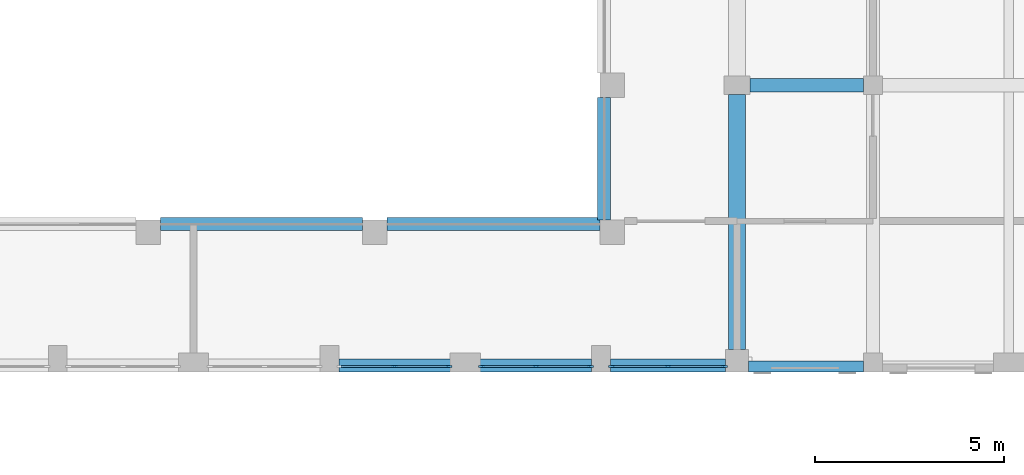
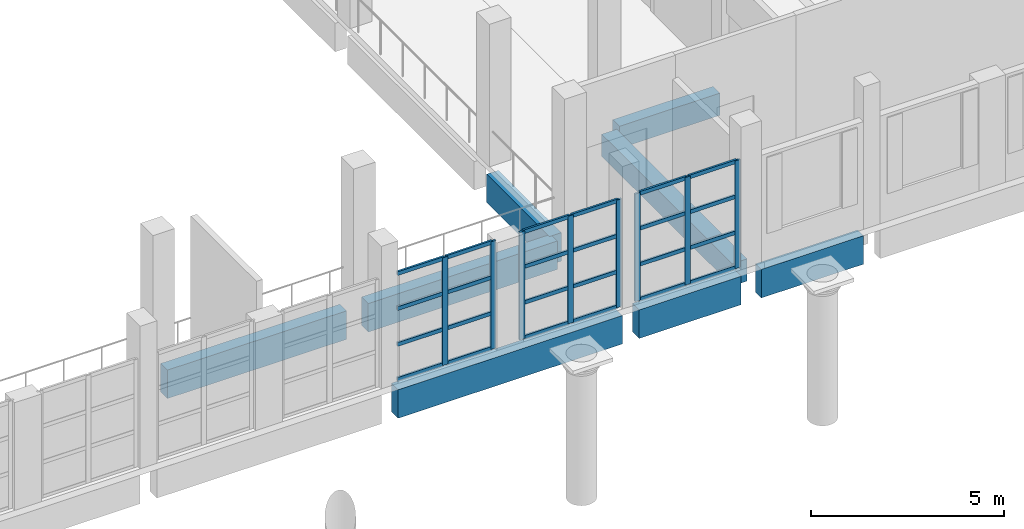
# One storey, part 5 of 59: 32 members, 8 beams, 3 elements without a shape of their own.
"""IFC4 building model written with IfcOpenShell, lengths in metres."""

from ifc_helpers import new_model, si_unit, direction, frame, origin, origin_2d, place, context, subcontext, project, spatial, rectangle, extrude, material, layer, layer_set, material_profile, profile_set, type_object, element, aggregate, save


model = new_model("IFC4")

# Units and contexts
model_context = context("Model", 3, precision=1e-05, world=origin(), true_north=direction((0.0, 1.0)))
body_context = subcontext(model_context, "Body", "Model", "MODEL_VIEW")
ifc_project = project(units=[si_unit("LENGTHUNIT", "METRE"), si_unit("AREAUNIT", "SQUARE_METRE"), si_unit("VOLUMEUNIT", "CUBIC_METRE"), si_unit("PLANEANGLEUNIT", "RADIAN"), si_unit("MASSUNIT", "GRAM", prefix="KILO")], contexts=[model_context])

# Site, building, storey
site_placement = place(None, origin())
site = spatial("IfcSite", under=ifc_project, at=site_placement, CompositionType="ELEMENT")
building_placement = place(site_placement, origin())
building = spatial("IfcBuilding", under=site, at=building_placement, Name="Ussher Court Research Institute", CompositionType="ELEMENT")
storey_placement = place(building_placement, frame((0.0, 0.0, 5.39990234375)))
storey = spatial("IfcBuildingStorey", under=building, at=storey_placement, Name="L01", CompositionType="ELEMENT", Elevation=5.39990234375)

# Curtain wall, members
ifc_material_1 = material(Name="Bronze anodised aluminium with low-e glass", Category="aluminium")
ifc_layer = layer(ifc_material_1, 0.1201171875)
ifc_layer_set = layer_set([ifc_layer], Name="Bronze anodised aluminium with low-e glass")
curtain_wall_type = type_object("IfcCurtainWallType", Name="Curtain wall atrium clear glazing", PredefinedType="NOTDEFINED", material=ifc_layer_set)
curtain_wall_1_placement = place(storey_placement, origin())
curtain_wall_1 = element("IfcCurtainWall", 1, at=curtain_wall_1_placement, inside=storey, type_object=curtain_wall_type, Name="Curtain wall CW2 L01", PredefinedType="NOTDEFINED")
ifc_material_2 = material(Name="Bronze anodised aluminium", Category="aluminium")
ifc_material_profile_1 = material_profile(ifc_material_2, rectangle(XDim=0.06005859375, YDim=0.159912109375, at=origin_2d()), Name="Mullion 60x160")
ifc_profile_set_1 = profile_set([ifc_material_profile_1], Name="Bronze anodised aluminium")
member_type_1 = type_object("IfcMemberType", Name="Mullion 60x160", PredefinedType="MULLION", material=ifc_profile_set_1)
member_1_placement = place(storey_placement, frame((63.8701171875, 10.949951171875, 0.0), z_axis=(0.0, 0.0, 1.0), x_axis=(0.0, -1.0, 0.0)))
member_1 = element("IfcMember", 2, at=member_1_placement, type_object=member_type_1, Name="CW2 mullion 1", PredefinedType="MULLION", context=body_context, shape_type="SweptSolid", body=[
    extrude(rectangle(XDim=0.06005859375, YDim=0.159912109375, at=origin_2d()), origin(), (0.0, 0.0, 1.0), 3.400146484375),
])
member_2_placement = place(storey_placement, frame((62.375, 10.949951171875, 0.0), z_axis=(0.0, 0.0, 1.0), x_axis=(0.0, -1.0, 0.0)))
member_2 = element("IfcMember", 3, at=member_2_placement, type_object=member_type_1, Name="CW2 mullion 2", PredefinedType="MULLION", context=body_context, shape_type="SweptSolid", body=[
    extrude(rectangle(XDim=0.06005859375, YDim=0.159912109375, at=origin_2d()), origin(), (0.0, 0.0, 1.0), 3.400146484375),
])
member_3_placement = place(storey_placement, frame((60.8798828125, 10.949951171875, 0.0), z_axis=(0.0, 0.0, 1.0), x_axis=(0.0, -1.0, 0.0)))
member_3 = element("IfcMember", 4, at=member_3_placement, type_object=member_type_1, Name="CW2 mullion 3", PredefinedType="MULLION", context=body_context, shape_type="SweptSolid", body=[
    extrude(rectangle(XDim=0.06005859375, YDim=0.159912109375, at=origin_2d()), origin(), (0.0, 0.0, 1.0), 3.400146484375),
])

curtain_wall_2_placement = place(storey_placement, origin())
curtain_wall_2 = element("IfcCurtainWall", 5, at=curtain_wall_2_placement, inside=storey, type_object=curtain_wall_type, Name="Curtain wall CW2 L01", PredefinedType="NOTDEFINED")
member_4_placement = place(storey_placement, frame((60.320068359375, 10.949951171875, 0.0), z_axis=(0.0, 0.0, 1.0), x_axis=(0.0, -1.0, 0.0)))
member_4 = element("IfcMember", 6, at=member_4_placement, type_object=member_type_1, Name="CW2 mullion 1", PredefinedType="MULLION", context=body_context, shape_type="SweptSolid", body=[
    extrude(rectangle(XDim=0.06005859375, YDim=0.159912109375, at=origin_2d()), origin(), (0.0, 0.0, 1.0), 3.400146484375),
])
member_5_placement = place(storey_placement, frame((58.875, 10.949951171875, 0.0), z_axis=(0.0, 0.0, 1.0), x_axis=(0.0, -1.0, 0.0)))
member_5 = element("IfcMember", 7, at=member_5_placement, type_object=member_type_1, Name="CW2 mullion 2", PredefinedType="MULLION", context=body_context, shape_type="SweptSolid", body=[
    extrude(rectangle(XDim=0.06005859375, YDim=0.159912109375, at=origin_2d()), origin(), (0.0, 0.0, 1.0), 3.400146484375),
])
member_6_placement = place(storey_placement, frame((57.429931640625, 10.949951171875, 0.0), z_axis=(0.0, 0.0, 1.0), x_axis=(0.0, -1.0, 0.0)))
member_6 = element("IfcMember", 8, at=member_6_placement, type_object=member_type_1, Name="CW2 mullion 3", PredefinedType="MULLION", context=body_context, shape_type="SweptSolid", body=[
    extrude(rectangle(XDim=0.06005859375, YDim=0.159912109375, at=origin_2d()), origin(), (0.0, 0.0, 1.0), 3.400146484375),
])

curtain_wall_3_placement = place(storey_placement, origin())
curtain_wall_3 = element("IfcCurtainWall", 9, at=curtain_wall_3_placement, inside=storey, type_object=curtain_wall_type, Name="Curtain wall CW2 L01", PredefinedType="NOTDEFINED")
member_7_placement = place(storey_placement, frame((56.570068359375, 10.949951171875, 0.0), z_axis=(0.0, 0.0, 1.0), x_axis=(0.0, -1.0, 0.0)))
member_7 = element("IfcMember", 10, at=member_7_placement, type_object=member_type_1, Name="CW2 mullion 1", PredefinedType="MULLION", context=body_context, shape_type="SweptSolid", body=[
    extrude(rectangle(XDim=0.06005859375, YDim=0.159912109375, at=origin_2d()), origin(), (0.0, 0.0, 1.0), 3.400146484375),
])
member_8_placement = place(storey_placement, frame((55.125, 10.949951171875, 0.0), z_axis=(0.0, 0.0, 1.0), x_axis=(0.0, -1.0, 0.0)))
member_8 = element("IfcMember", 11, at=member_8_placement, type_object=member_type_1, Name="CW2 mullion 2", PredefinedType="MULLION", context=body_context, shape_type="SweptSolid", body=[
    extrude(rectangle(XDim=0.06005859375, YDim=0.159912109375, at=origin_2d()), origin(), (0.0, 0.0, 1.0), 3.400146484375),
])

# Beams
ifc_material_3 = material(Name="Concrete C35/45", Category="concrete")
ifc_material_profile_2 = material_profile(ifc_material_3, rectangle(XDim=0.300048828125, YDim=0.89990234375, at=origin_2d()), Name="RC 300x900")
ifc_profile_set_2 = profile_set([ifc_material_profile_2], Name="Concrete C35/45")
beam_type_1 = type_object("IfcBeamType", Name="RC 300x900 beam", PredefinedType="BEAM", material=ifc_profile_set_2)
beam_1_placement = place(storey_placement, frame((64.5, 10.949951171875, -0.64990234375), z_axis=(1.0, 0.0, 0.0), x_axis=(0.0, 1.0, 0.0)))
element("IfcBeam", 12, at=beam_1_placement, inside=storey, type_object=beam_type_1, Name="SB2 V7 L01-03", PredefinedType="BEAM", context=body_context, shape_type="SweptSolid", body=[
    extrude(rectangle(XDim=0.300048828125, YDim=0.89990234375, at=origin_2d()), origin(), (0.0, 0.0, 1.0), 3.050048828125),
])
ifc_material_4 = material(Name="Concrete C35/45", Category="concrete")
ifc_material_profile_3 = material_profile(ifc_material_4, rectangle(XDim=0.35009765625, YDim=0.699951171875, at=origin_2d()), Name="RC 350x700")
ifc_profile_set_3 = profile_set([ifc_material_profile_3], Name="Concrete C35/45")
beam_type_2 = type_object("IfcBeamType", Name="RC 350x700 beam", PredefinedType="BEAM", material=ifc_profile_set_3)
beam_2_placement = place(storey_placement, frame((64.550048828125, 18.39990234375, -0.5498046875), z_axis=(1.0, 0.0, 0.0), x_axis=(0.0, 1.0, 0.0)))
element("IfcBeam", 13, at=beam_2_placement, inside=storey, type_object=beam_type_2, Name="B16 V7 L01-03", PredefinedType="BEAM", context=body_context, shape_type="SweptSolid", body=[
    extrude(rectangle(XDim=0.35009765625, YDim=0.699951171875, at=origin_2d()), origin(), (0.0, 0.0, 1.0), 3.0),
])
ifc_material_5 = material(Name="Concrete C35/45", Category="concrete")
ifc_material_profile_4 = material_profile(ifc_material_5, rectangle(XDim=0.35009765625, YDim=0.89990234375, at=origin_2d()), Name="RC 350x900")
ifc_profile_set_4 = profile_set([ifc_material_profile_4], Name="Concrete C35/45")
beam_type_3 = type_object("IfcBeamType", Name="RC 350x900 beam", PredefinedType="BEAM", material=ifc_profile_set_4)
beam_3_placement = place(storey_placement, frame((53.64990234375, 10.97509765625, -0.64990234375), z_axis=(1.0, 0.0, 0.0), x_axis=(0.0, 1.0, 0.0)))
element("IfcBeam", 14, at=beam_3_placement, inside=storey, type_object=beam_type_3, Name="SB1 V2 L01-03", PredefinedType="BEAM", context=body_context, shape_type="SweptSolid", body=[
    extrude(rectangle(XDim=0.35009765625, YDim=0.89990234375, at=origin_2d()), origin(), (0.0, 0.0, 1.0), 6.7001953125),
])
beam_4_placement = place(storey_placement, frame((60.85009765625, 10.97509765625, -0.64990234375), z_axis=(1.0, 0.0, 0.0), x_axis=(0.0, 1.0, 0.0)))
element("IfcBeam", 15, at=beam_4_placement, inside=storey, type_object=beam_type_3, Name="SB1 V2 L01-04", PredefinedType="BEAM", context=body_context, shape_type="SweptSolid", body=[
    extrude(rectangle(XDim=0.35009765625, YDim=0.89990234375, at=origin_2d()), origin(), (0.0, 0.0, 1.0), 3.0498046875),
])
beam_5_placement = place(storey_placement, frame((60.675048828125, 14.824951171875, -0.64990234375), z_axis=(0.0, 1.0, 0.0), x_axis=(-1.0, 0.0, 0.0)))
element("IfcBeam", 16, at=beam_5_placement, inside=storey, type_object=beam_type_3, Name="SB1 V2 L01-13", PredefinedType="BEAM", context=body_context, shape_type="SweptSolid", body=[
    extrude(rectangle(XDim=0.35009765625, YDim=0.89990234375, at=origin_2d()), origin(), (0.0, 0.0, 1.0), 3.25),
])
beam_6_placement = place(storey_placement, frame((48.925048828125, 14.72509765625, -0.64990234375), z_axis=(1.0, 0.0, 0.0), x_axis=(0.0, 1.0, 0.0)))
element("IfcBeam", 17, at=beam_6_placement, inside=storey, type_object=beam_type_3, Name="SB1 V2 L01-18", PredefinedType="BEAM", context=body_context, shape_type="SweptSolid", body=[
    extrude(rectangle(XDim=0.35009765625, YDim=0.89990234375, at=origin_2d()), origin(), (0.0, 0.0, 1.0), 5.349853515625),
])
beam_7_placement = place(storey_placement, frame((54.925048828125, 14.72509765625, -0.64990234375), z_axis=(1.0, 0.0, 0.0), x_axis=(0.0, 1.0, 0.0)))
element("IfcBeam", 18, at=beam_7_placement, inside=storey, type_object=beam_type_3, Name="SB1 V2 L01-19", PredefinedType="BEAM", context=body_context, shape_type="SweptSolid", body=[
    extrude(rectangle(XDim=0.35009765625, YDim=0.89990234375, at=origin_2d()), origin(), (0.0, 0.0, 1.0), 5.64990234375),
])
ifc_material_6 = material(Name="Concrete C35/45", Category="concrete")
ifc_material_profile_5 = material_profile(ifc_material_6, rectangle(XDim=0.449951171875, YDim=0.699951171875, at=origin_2d()), Name="RC 450x700")
ifc_profile_set_5 = profile_set([ifc_material_profile_5], Name="Concrete C35/45")
beam_type_4 = type_object("IfcBeamType", Name="RC 450x700 beam", PredefinedType="BEAM", material=ifc_profile_set_5)
beam_8_placement = place(storey_placement, frame((64.199951171875, 11.39990234375, -0.5498046875), z_axis=(0.0, 1.0, 0.0), x_axis=(-1.0, 0.0, 0.0)))
element("IfcBeam", 19, at=beam_8_placement, inside=storey, type_object=beam_type_4, Name="B10 V2 L01-05", PredefinedType="BEAM", context=body_context, shape_type="SweptSolid", body=[
    extrude(rectangle(XDim=0.449951171875, YDim=0.699951171875, at=origin_2d()), origin(), (0.0, 0.0, 1.0), 6.75),
])

# Member
ifc_material_7 = material(Name="Bronze anodised aluminium", Category="aluminium")
ifc_material_profile_6 = material_profile(ifc_material_7, rectangle(XDim=0.06005859375, YDim=0.1201171875, at=origin_2d()), Name="Transom 60x120")
ifc_profile_set_6 = profile_set([ifc_material_profile_6], Name="Bronze anodised aluminium")
member_type_2 = type_object("IfcMemberType", Name="Transom 60x120", PredefinedType="USERDEFINED", material=ifc_profile_set_6)
member_9_placement = place(storey_placement, frame((63.840087890625, 10.949951171875, 0.030029296875), z_axis=(-1.0, 0.0, 0.0), x_axis=(0.0, -1.0, 0.0)))
member_9 = element("IfcMember", 20, at=member_9_placement, type_object=member_type_2, Name="CW2 transom 1.1", ObjectType="TRANSOM", PredefinedType="USERDEFINED", context=body_context, shape_type="SweptSolid", body=[
    extrude(rectangle(XDim=0.06005859375, YDim=0.1201171875, at=origin_2d()), origin(), (0.0, 0.0, 1.0), 1.43505859375),
])

member_10_placement = place(storey_placement, frame((63.840087890625, 10.949951171875, 1.13330078125), z_axis=(-1.0, 0.0, 0.0), x_axis=(0.0, -1.0, 0.0)))
member_10 = element("IfcMember", 21, at=member_10_placement, type_object=member_type_2, Name="CW2 transom 1.2", ObjectType="TRANSOM", PredefinedType="USERDEFINED", context=body_context, shape_type="SweptSolid", body=[
    extrude(rectangle(XDim=0.06005859375, YDim=0.1201171875, at=origin_2d()), origin(), (0.0, 0.0, 1.0), 1.43505859375),
])

member_11_placement = place(storey_placement, frame((63.840087890625, 10.949951171875, 2.266845703125), z_axis=(-1.0, 0.0, 0.0), x_axis=(0.0, -1.0, 0.0)))
member_11 = element("IfcMember", 22, at=member_11_placement, type_object=member_type_2, Name="CW2 transom 1.3", ObjectType="TRANSOM", PredefinedType="USERDEFINED", context=body_context, shape_type="SweptSolid", body=[
    extrude(rectangle(XDim=0.06005859375, YDim=0.1201171875, at=origin_2d()), origin(), (0.0, 0.0, 1.0), 1.43505859375),
])

member_12_placement = place(storey_placement, frame((63.840087890625, 10.949951171875, 3.3701171875), z_axis=(-1.0, 0.0, 0.0), x_axis=(0.0, -1.0, 0.0)))
member_12 = element("IfcMember", 23, at=member_12_placement, type_object=member_type_2, Name="CW2 transom 1.4", ObjectType="TRANSOM", PredefinedType="USERDEFINED", context=body_context, shape_type="SweptSolid", body=[
    extrude(rectangle(XDim=0.06005859375, YDim=0.1201171875, at=origin_2d()), origin(), (0.0, 0.0, 1.0), 1.43505859375),
])

member_13_placement = place(storey_placement, frame((62.344970703125, 10.949951171875, 0.030029296875), z_axis=(-1.0, 0.0, 0.0), x_axis=(0.0, -1.0, 0.0)))
member_13 = element("IfcMember", 24, at=member_13_placement, type_object=member_type_2, Name="CW2 transom 2.1", ObjectType="TRANSOM", PredefinedType="USERDEFINED", context=body_context, shape_type="SweptSolid", body=[
    extrude(rectangle(XDim=0.06005859375, YDim=0.1201171875, at=origin_2d()), origin(), (0.0, 0.0, 1.0), 1.43505859375),
])

member_14_placement = place(storey_placement, frame((62.344970703125, 10.949951171875, 1.13330078125), z_axis=(-1.0, 0.0, 0.0), x_axis=(0.0, -1.0, 0.0)))
member_14 = element("IfcMember", 25, at=member_14_placement, type_object=member_type_2, Name="CW2 transom 2.2", ObjectType="TRANSOM", PredefinedType="USERDEFINED", context=body_context, shape_type="SweptSolid", body=[
    extrude(rectangle(XDim=0.06005859375, YDim=0.1201171875, at=origin_2d()), origin(), (0.0, 0.0, 1.0), 1.43505859375),
])

member_15_placement = place(storey_placement, frame((62.344970703125, 10.949951171875, 2.266845703125), z_axis=(-1.0, 0.0, 0.0), x_axis=(0.0, -1.0, 0.0)))
member_15 = element("IfcMember", 26, at=member_15_placement, type_object=member_type_2, Name="CW2 transom 2.3", ObjectType="TRANSOM", PredefinedType="USERDEFINED", context=body_context, shape_type="SweptSolid", body=[
    extrude(rectangle(XDim=0.06005859375, YDim=0.1201171875, at=origin_2d()), origin(), (0.0, 0.0, 1.0), 1.43505859375),
])

member_16_placement = place(storey_placement, frame((62.344970703125, 10.949951171875, 3.3701171875), z_axis=(-1.0, 0.0, 0.0), x_axis=(0.0, -1.0, 0.0)))
member_16 = element("IfcMember", 27, at=member_16_placement, type_object=member_type_2, Name="CW2 transom 2.4", ObjectType="TRANSOM", PredefinedType="USERDEFINED", context=body_context, shape_type="SweptSolid", body=[
    extrude(rectangle(XDim=0.06005859375, YDim=0.1201171875, at=origin_2d()), origin(), (0.0, 0.0, 1.0), 1.43505859375),
])

aggregate(curtain_wall_1, [member_1, member_2, member_3, member_9, member_10, member_11, member_12, member_13, member_14, member_15, member_16])

member_17_placement = place(storey_placement, frame((60.2900390625, 10.949951171875, 0.030029296875), z_axis=(-1.0, 0.0, 0.0), x_axis=(0.0, -1.0, 0.0)))
member_17 = element("IfcMember", 28, at=member_17_placement, type_object=member_type_2, Name="CW2 transom 1.1", ObjectType="TRANSOM", PredefinedType="USERDEFINED", context=body_context, shape_type="SweptSolid", body=[
    extrude(rectangle(XDim=0.06005859375, YDim=0.1201171875, at=origin_2d()), origin(), (0.0, 0.0, 1.0), 1.385009765625),
])

member_18_placement = place(storey_placement, frame((60.2900390625, 10.949951171875, 1.13330078125), z_axis=(-1.0, 0.0, 0.0), x_axis=(0.0, -1.0, 0.0)))
member_18 = element("IfcMember", 29, at=member_18_placement, type_object=member_type_2, Name="CW2 transom 1.2", ObjectType="TRANSOM", PredefinedType="USERDEFINED", context=body_context, shape_type="SweptSolid", body=[
    extrude(rectangle(XDim=0.06005859375, YDim=0.1201171875, at=origin_2d()), origin(), (0.0, 0.0, 1.0), 1.385009765625),
])

member_19_placement = place(storey_placement, frame((60.2900390625, 10.949951171875, 2.266845703125), z_axis=(-1.0, 0.0, 0.0), x_axis=(0.0, -1.0, 0.0)))
member_19 = element("IfcMember", 30, at=member_19_placement, type_object=member_type_2, Name="CW2 transom 1.3", ObjectType="TRANSOM", PredefinedType="USERDEFINED", context=body_context, shape_type="SweptSolid", body=[
    extrude(rectangle(XDim=0.06005859375, YDim=0.1201171875, at=origin_2d()), origin(), (0.0, 0.0, 1.0), 1.385009765625),
])

member_20_placement = place(storey_placement, frame((60.2900390625, 10.949951171875, 3.3701171875), z_axis=(-1.0, 0.0, 0.0), x_axis=(0.0, -1.0, 0.0)))
member_20 = element("IfcMember", 31, at=member_20_placement, type_object=member_type_2, Name="CW2 transom 1.4", ObjectType="TRANSOM", PredefinedType="USERDEFINED", context=body_context, shape_type="SweptSolid", body=[
    extrude(rectangle(XDim=0.06005859375, YDim=0.1201171875, at=origin_2d()), origin(), (0.0, 0.0, 1.0), 1.385009765625),
])

member_21_placement = place(storey_placement, frame((58.844970703125, 10.949951171875, 0.030029296875), z_axis=(-1.0, 0.0, 0.0), x_axis=(0.0, -1.0, 0.0)))
member_21 = element("IfcMember", 32, at=member_21_placement, type_object=member_type_2, Name="CW2 transom 2.1", ObjectType="TRANSOM", PredefinedType="USERDEFINED", context=body_context, shape_type="SweptSolid", body=[
    extrude(rectangle(XDim=0.06005859375, YDim=0.1201171875, at=origin_2d()), origin(), (0.0, 0.0, 1.0), 1.385009765625),
])

member_22_placement = place(storey_placement, frame((58.844970703125, 10.949951171875, 1.13330078125), z_axis=(-1.0, 0.0, 0.0), x_axis=(0.0, -1.0, 0.0)))
member_22 = element("IfcMember", 33, at=member_22_placement, type_object=member_type_2, Name="CW2 transom 2.2", ObjectType="TRANSOM", PredefinedType="USERDEFINED", context=body_context, shape_type="SweptSolid", body=[
    extrude(rectangle(XDim=0.06005859375, YDim=0.1201171875, at=origin_2d()), origin(), (0.0, 0.0, 1.0), 1.385009765625),
])

member_23_placement = place(storey_placement, frame((58.844970703125, 10.949951171875, 2.266845703125), z_axis=(-1.0, 0.0, 0.0), x_axis=(0.0, -1.0, 0.0)))
member_23 = element("IfcMember", 34, at=member_23_placement, type_object=member_type_2, Name="CW2 transom 2.3", ObjectType="TRANSOM", PredefinedType="USERDEFINED", context=body_context, shape_type="SweptSolid", body=[
    extrude(rectangle(XDim=0.06005859375, YDim=0.1201171875, at=origin_2d()), origin(), (0.0, 0.0, 1.0), 1.385009765625),
])

member_24_placement = place(storey_placement, frame((58.844970703125, 10.949951171875, 3.3701171875), z_axis=(-1.0, 0.0, 0.0), x_axis=(0.0, -1.0, 0.0)))
member_24 = element("IfcMember", 35, at=member_24_placement, type_object=member_type_2, Name="CW2 transom 2.4", ObjectType="TRANSOM", PredefinedType="USERDEFINED", context=body_context, shape_type="SweptSolid", body=[
    extrude(rectangle(XDim=0.06005859375, YDim=0.1201171875, at=origin_2d()), origin(), (0.0, 0.0, 1.0), 1.385009765625),
])

aggregate(curtain_wall_2, [member_4, member_5, member_6, member_17, member_18, member_19, member_20, member_21, member_22, member_23, member_24])

member_25_placement = place(storey_placement, frame((56.5400390625, 10.949951171875, 0.030029296875), z_axis=(-1.0, 0.0, 0.0), x_axis=(0.0, -1.0, 0.0)))
member_25 = element("IfcMember", 36, at=member_25_placement, type_object=member_type_2, Name="CW2 transom 1.1", ObjectType="TRANSOM", PredefinedType="USERDEFINED", context=body_context, shape_type="SweptSolid", body=[
    extrude(rectangle(XDim=0.06005859375, YDim=0.1201171875, at=origin_2d()), origin(), (0.0, 0.0, 1.0), 1.385009765625),
])

member_26_placement = place(storey_placement, frame((56.5400390625, 10.949951171875, 1.13330078125), z_axis=(-1.0, 0.0, 0.0), x_axis=(0.0, -1.0, 0.0)))
member_26 = element("IfcMember", 37, at=member_26_placement, type_object=member_type_2, Name="CW2 transom 1.2", ObjectType="TRANSOM", PredefinedType="USERDEFINED", context=body_context, shape_type="SweptSolid", body=[
    extrude(rectangle(XDim=0.06005859375, YDim=0.1201171875, at=origin_2d()), origin(), (0.0, 0.0, 1.0), 1.385009765625),
])

member_27_placement = place(storey_placement, frame((56.5400390625, 10.949951171875, 2.266845703125), z_axis=(-1.0, 0.0, 0.0), x_axis=(0.0, -1.0, 0.0)))
member_27 = element("IfcMember", 38, at=member_27_placement, type_object=member_type_2, Name="CW2 transom 1.3", ObjectType="TRANSOM", PredefinedType="USERDEFINED", context=body_context, shape_type="SweptSolid", body=[
    extrude(rectangle(XDim=0.06005859375, YDim=0.1201171875, at=origin_2d()), origin(), (0.0, 0.0, 1.0), 1.385009765625),
])

member_28_placement = place(storey_placement, frame((56.5400390625, 10.949951171875, 3.3701171875), z_axis=(-1.0, 0.0, 0.0), x_axis=(0.0, -1.0, 0.0)))
member_28 = element("IfcMember", 39, at=member_28_placement, type_object=member_type_2, Name="CW2 transom 1.4", ObjectType="TRANSOM", PredefinedType="USERDEFINED", context=body_context, shape_type="SweptSolid", body=[
    extrude(rectangle(XDim=0.06005859375, YDim=0.1201171875, at=origin_2d()), origin(), (0.0, 0.0, 1.0), 1.385009765625),
])

member_29_placement = place(storey_placement, frame((55.094970703125, 10.949951171875, 0.030029296875), z_axis=(-1.0, 0.0, 0.0), x_axis=(0.0, -1.0, 0.0)))
member_29 = element("IfcMember", 40, at=member_29_placement, type_object=member_type_2, Name="CW2 transom 2.1", ObjectType="TRANSOM", PredefinedType="USERDEFINED", context=body_context, shape_type="SweptSolid", body=[
    extrude(rectangle(XDim=0.06005859375, YDim=0.1201171875, at=origin_2d()), origin(), (0.0, 0.0, 1.0), 1.385009765625),
])

member_30_placement = place(storey_placement, frame((55.094970703125, 10.949951171875, 1.13330078125), z_axis=(-1.0, 0.0, 0.0), x_axis=(0.0, -1.0, 0.0)))
member_30 = element("IfcMember", 41, at=member_30_placement, type_object=member_type_2, Name="CW2 transom 2.2", ObjectType="TRANSOM", PredefinedType="USERDEFINED", context=body_context, shape_type="SweptSolid", body=[
    extrude(rectangle(XDim=0.06005859375, YDim=0.1201171875, at=origin_2d()), origin(), (0.0, 0.0, 1.0), 1.385009765625),
])

member_31_placement = place(storey_placement, frame((55.094970703125, 10.949951171875, 2.266845703125), z_axis=(-1.0, 0.0, 0.0), x_axis=(0.0, -1.0, 0.0)))
member_31 = element("IfcMember", 42, at=member_31_placement, type_object=member_type_2, Name="CW2 transom 2.3", ObjectType="TRANSOM", PredefinedType="USERDEFINED", context=body_context, shape_type="SweptSolid", body=[
    extrude(rectangle(XDim=0.06005859375, YDim=0.1201171875, at=origin_2d()), origin(), (0.0, 0.0, 1.0), 1.385009765625),
])

member_32_placement = place(storey_placement, frame((55.094970703125, 10.949951171875, 3.3701171875), z_axis=(-1.0, 0.0, 0.0), x_axis=(0.0, -1.0, 0.0)))
member_32 = element("IfcMember", 43, at=member_32_placement, type_object=member_type_2, Name="CW2 transom 2.4", ObjectType="TRANSOM", PredefinedType="USERDEFINED", context=body_context, shape_type="SweptSolid", body=[
    extrude(rectangle(XDim=0.06005859375, YDim=0.1201171875, at=origin_2d()), origin(), (0.0, 0.0, 1.0), 1.385009765625),
])

aggregate(curtain_wall_3, [member_7, member_8, member_25, member_26, member_27, member_28, member_29, member_30, member_31, member_32])

save(model, "model.ifc")
